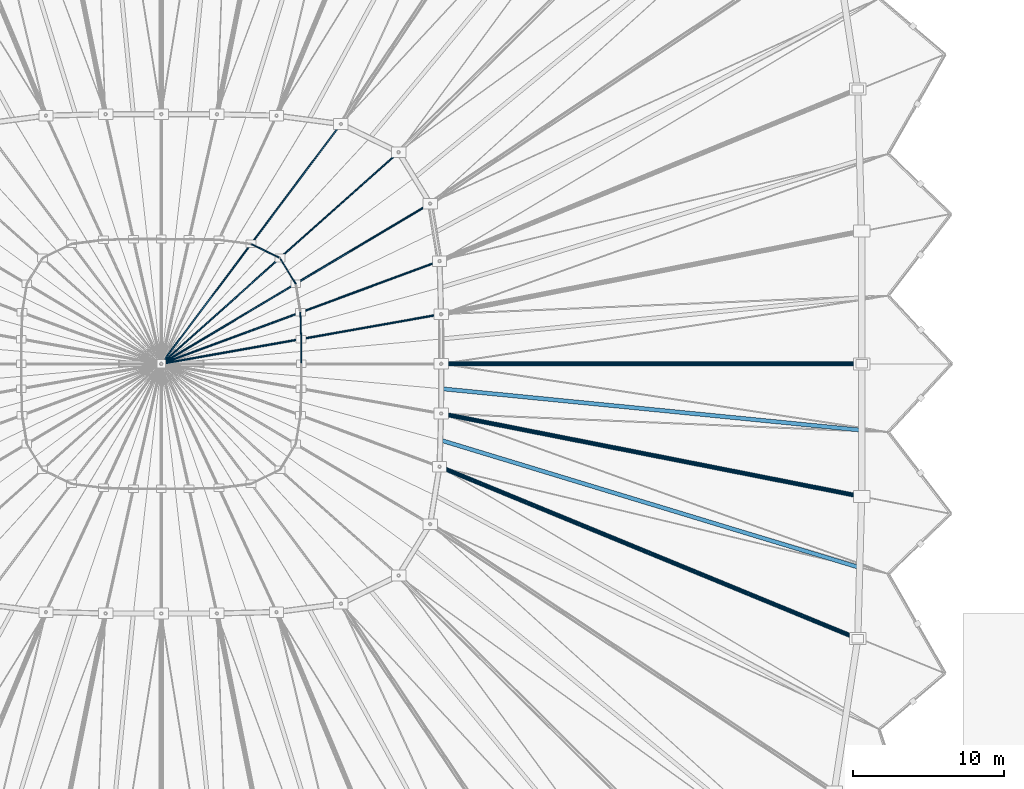
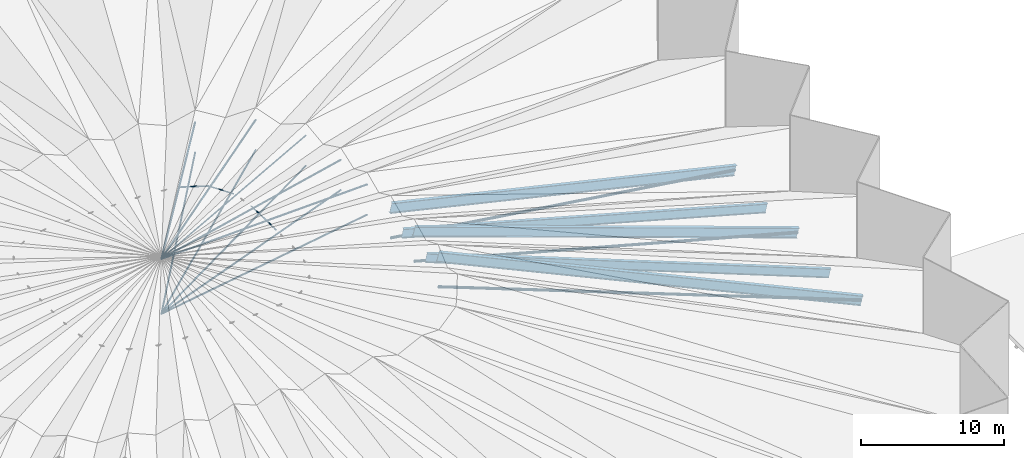
# One storey, part 22 of 41: 17 members, 5 beams.
"""IFC4 building model written with IfcOpenShell, lengths in metres."""

from ifc_helpers import new_model, si_unit, direction, frame, origin, origin_2d, place, context, subcontext, project, spatial, circle, hollow_circle, i_section, extrude, material, material_profile, profile_set, type_object, element, save


model = new_model("IFC4")

# Units and contexts
model_context = context("Model", 3, precision=1e-05, world=origin(), true_north=direction((0.0, 1.0)))
body_context = subcontext(model_context, "Body", "Model", "MODEL_VIEW")
ifc_project = project(units=[si_unit("LENGTHUNIT", "METRE"), si_unit("AREAUNIT", "SQUARE_METRE"), si_unit("VOLUMEUNIT", "CUBIC_METRE"), si_unit("PLANEANGLEUNIT", "RADIAN"), si_unit("MASSUNIT", "GRAM", prefix="KILO")], contexts=[model_context])

# Site, building, storey
site_placement = place(None, origin())
site = spatial("IfcSite", under=ifc_project, at=site_placement, CompositionType="ELEMENT")
building_placement = place(site_placement, origin())
building = spatial("IfcBuilding", under=site, at=building_placement, Name="Luwafu Chhajja Arena", CompositionType="ELEMENT")
storey_placement = place(building_placement, frame((0.0, 0.0, 29.699951171875)))
storey = spatial("IfcBuildingStorey", under=building, at=storey_placement, Name="RF", CompositionType="ELEMENT", Elevation=29.699951171875)

# Beams
ifc_material_1 = material(Name="Steel S355", Category="steel")
ifc_material_profile_1 = material_profile(ifc_material_1, i_section(OverallWidth=0.29248046875, OverallDepth=0.8408203125, WebThickness=0.0146484375, FlangeThickness=0.021728515625, at=origin_2d()), Name="UB 838x292x194")
ifc_profile_set_1 = profile_set([ifc_material_profile_1], Name="Steel S355")
beam_type_1 = type_object("IfcBeamType", Name="Folded Roof Ridge Girder UB 838x292x194", PredefinedType="BEAM", material=ifc_profile_set_1)
beam_1_placement = place(storey_placement, frame((145.300048828125, 49.5, 0.179931640625), z_axis=(-0.973737852779, 0.0, 0.22767211965), x_axis=(0.0, -1.0, 0.0)))
element("IfcBeam", 1, at=beam_1_placement, inside=storey, type_object=beam_type_1, Name="Roof truss ridge beam FR-01", PredefinedType="BEAM", context=body_context, shape_type="SweptSolid", body=[
    extrude(i_section(OverallWidth=0.29248046875, OverallDepth=0.8408203125, WebThickness=0.0146484375, FlangeThickness=0.021728515625, at=origin_2d()), origin(), (0.0, 0.0, 1.0), 28.5498046875),
])
beam_2_placement = place(storey_placement, frame((145.031982421875, 31.3388671875, 0.179931640625), z_axis=(-0.903721333202, 0.371642526178, 0.212531373334), x_axis=(-0.38033148676, -0.924850236621, 0.0)))
element("IfcBeam", 2, at=beam_2_placement, inside=storey, type_object=beam_type_1, Name="Roof truss ridge beam FR-31", PredefinedType="BEAM", context=body_context, shape_type="SweptSolid", body=[
    extrude(i_section(OverallWidth=0.29248046875, OverallDepth=0.8408203125, WebThickness=0.0146484375, FlangeThickness=0.021728515625, at=origin_2d()), origin(), (0.0, 0.0, 1.0), 30.583740234375),
])
beam_3_placement = place(storey_placement, frame((145.28759765625, 40.730224609375, 0.179931640625), z_axis=(-0.956205891368, 0.188833822132, 0.223633809903), x_axis=(-0.19374064553, -0.981052782611, 0.0)))
element("IfcBeam", 3, at=beam_3_placement, inside=storey, type_object=beam_type_1, Name="Roof truss ridge beam FR-32", PredefinedType="BEAM", context=body_context, shape_type="SweptSolid", body=[
    extrude(i_section(OverallWidth=0.29248046875, OverallDepth=0.8408203125, WebThickness=0.0146484375, FlangeThickness=0.021728515625, at=origin_2d()), origin(), (0.0, 0.0, 1.0), 29.0654296875),
])
ifc_material_profile_2 = material_profile(ifc_material_1, i_section(OverallWidth=0.2666015625, OverallDepth=0.76220703125, WebThickness=0.014404296875, FlangeThickness=0.021484375, at=origin_2d()), Name="UB 762x267x173")
ifc_profile_set_2 = profile_set([ifc_material_profile_2], Name="Steel S355")
beam_type_2 = type_object("IfcBeamType", Name="Folded Roof Valley Girder UB 762x267x173", PredefinedType="BEAM", material=ifc_profile_set_2)
beam_4_placement = place(storey_placement, frame((145.159912109375, 36.03466796875, -0.3798828125), z_axis=(-0.937504814036, 0.285056826494, 0.199567856453), x_axis=(-0.290908744238, -0.956750804821, 0.0)))
element("IfcBeam", 4, at=beam_4_placement, inside=storey, type_object=beam_type_2, Name="Roof truss valley beam FV-31", PredefinedType="BEAM", context=body_context, shape_type="SweptSolid", body=[
    extrude(i_section(OverallWidth=0.2666015625, OverallDepth=0.76220703125, WebThickness=0.014404296875, FlangeThickness=0.021484375, at=origin_2d()), origin(), (0.0, 0.0, 1.0), 29.5634765625),
])
beam_5_placement = place(storey_placement, frame((145.293701171875, 45.114990234375, -0.3798828125), z_axis=(-0.973676695263, 0.096133608525, 0.206668871419), x_axis=(-0.098254837604, -0.995161286871, 0.0)))
element("IfcBeam", 5, at=beam_5_placement, inside=storey, type_object=beam_type_2, Name="Roof truss valley beam FV-32", PredefinedType="BEAM", context=body_context, shape_type="SweptSolid", body=[
    extrude(i_section(OverallWidth=0.2666015625, OverallDepth=0.76220703125, WebThickness=0.014404296875, FlangeThickness=0.021484375, at=origin_2d()), origin(), (0.0, 0.0, 1.0), 28.547607421875),
])

# Members
ifc_material_2 = material(Name="Steel S460", Category="steel")
ifc_material_profile_3 = material_profile(ifc_material_2, circle(Radius=0.04248046875, at=origin_2d()), Name="CABLE D85")
ifc_profile_set_3 = profile_set([ifc_material_profile_3], Name="Steel S460")
member_type_1 = type_object("IfcMemberType", Name="Oculus Hoop Tie Cable D85", PredefinedType="USERDEFINED", material=ifc_profile_set_3)
member_1_placement = place(storey_placement, frame((108.25, 49.5, 8.02001953125), z_axis=(-0.00148809359, 0.999998892788, 0.0), x_axis=(-0.999998892788, -0.00148809359, 0.0)))
element("IfcMember", 6, at=member_1_placement, inside=storey, type_object=member_type_1, Name="Cable net hoop cable CBH-01", ObjectType="CABLE", PredefinedType="USERDEFINED", context=body_context, shape_type="SweptSolid", body=[
    extrude(circle(Radius=0.04248046875, at=origin_2d()), origin(), (0.0, 0.0, 1.0), 1.640625),
])
member_2_placement = place(storey_placement, frame((106.8427734375, 56.494873046875, 8.02001953125), z_axis=(-0.89864668968, 0.438673143841, 0.0), x_axis=(-0.438673143841, -0.89864668968, 0.0)))
element("IfcMember", 7, at=member_2_placement, inside=storey, type_object=member_type_1, Name="Cable net hoop cable CBH-05", ObjectType="CABLE", PredefinedType="USERDEFINED", context=body_context, shape_type="SweptSolid", body=[
    extrude(circle(Radius=0.04248046875, at=origin_2d()), origin(), (0.0, 0.0, 1.0), 2.120361328125),
])
ifc_material_profile_4 = material_profile(ifc_material_2, circle(Radius=0.054931640625, at=origin_2d()), Name="CABLE D110")
ifc_profile_set_4 = profile_set([ifc_material_profile_4], Name="Steel S460")
member_type_2 = type_object("IfcMemberType", Name="Oculus Radial Main Cable D110", PredefinedType="USERDEFINED", material=ifc_profile_set_4)
member_3_placement = place(storey_placement, frame((117.4951171875, 52.78125, 6.679931640625), z_axis=(-0.978412125262, -0.173581748819, 0.11215654068), x_axis=(0.174683908095, -0.984624564112, 0.0)))
element("IfcMember", 8, at=member_3_placement, inside=storey, type_object=member_type_2, Name="Cable net main cable CBM-02", ObjectType="CABLE", PredefinedType="USERDEFINED", context=body_context, shape_type="SweptSolid", body=[
    extrude(circle(Radius=0.054931640625, at=origin_2d()), origin(), (0.0, 0.0, 1.0), 18.903076171875),
])
member_4_placement = place(storey_placement, frame((117.392822265625, 56.294921875, 6.679931640625), z_axis=(-0.932598933948, -0.344533144798, 0.107499490853), x_axis=(0.346541303298, -0.938034714234, 0.0)))
element("IfcMember", 9, at=member_4_placement, inside=storey, type_object=member_type_2, Name="Cable net main cable CBM-03", ObjectType="CABLE", PredefinedType="USERDEFINED", context=body_context, shape_type="SweptSolid", body=[
    extrude(circle(Radius=0.054931640625, at=origin_2d()), origin(), (0.0, 0.0, 1.0), 19.72216796875),
])
member_5_placement = place(storey_placement, frame((116.771240234375, 60.090576171875, 6.679931640625), z_axis=(-0.854552305173, -0.509261096098, 0.101948485639), x_axis=(0.511928407215, -0.859028117052, 0.0)))
element("IfcMember", 10, at=member_5_placement, inside=storey, type_object=member_type_2, Name="Cable net main cable CBM-04", ObjectType="CABLE", PredefinedType="USERDEFINED", context=body_context, shape_type="SweptSolid", body=[
    extrude(circle(Radius=0.054931640625, at=origin_2d()), origin(), (0.0, 0.0, 1.0), 20.7958984375),
])
member_6_placement = place(storey_placement, frame((114.685546875, 63.48974609375, 6.679931640625), z_axis=(-0.742528858031, -0.662252344398, 0.100362977885), x_axis=(0.665613098431, -0.746296993962, 0.0)))
element("IfcMember", 11, at=member_6_placement, inside=storey, type_object=member_type_2, Name="Cable net main cable CBM-05", ObjectType="CABLE", PredefinedType="USERDEFINED", context=body_context, shape_type="SweptSolid", body=[
    extrude(circle(Radius=0.054931640625, at=origin_2d()), origin(), (0.0, 0.0, 1.0), 21.12451171875),
])
member_7_placement = place(storey_placement, frame((110.874267578125, 65.35009765625, 6.679931640625), z_axis=(-0.596163636686, -0.795775554022, 0.106443346033), x_axis=(0.800322370403, -0.599569932062, 0.0)))
element("IfcMember", 12, at=member_7_placement, inside=storey, type_object=member_type_2, Name="Cable net main cable CBM-06", ObjectType="CABLE", PredefinedType="USERDEFINED", context=body_context, shape_type="SweptSolid", body=[
    extrude(circle(Radius=0.054931640625, at=origin_2d()), origin(), (0.0, 0.0, 1.0), 19.917724609375),
])
ifc_material_profile_5 = material_profile(ifc_material_2, circle(Radius=0.047607421875, at=origin_2d()), Name="CABLE D95")
ifc_profile_set_5 = profile_set([ifc_material_profile_5], Name="Steel S460")
member_type_3 = type_object("IfcMemberType", Name="Oculus Radial Stabilizing Cable D95", PredefinedType="USERDEFINED", material=ifc_profile_set_5)
member_8_placement = place(storey_placement, frame((117.4951171875, 52.78125, 4.10009765625), z_axis=(-0.984624564112, -0.174683908095, 0.0), x_axis=(0.174683908095, -0.984624564112, 0.0)))
element("IfcMember", 13, at=member_8_placement, inside=storey, type_object=member_type_3, Name="Cable net radial split stabilizing cable CBS-02", ObjectType="CABLE", PredefinedType="USERDEFINED", context=body_context, shape_type="SweptSolid", body=[
    extrude(circle(Radius=0.047607421875, at=origin_2d()), origin(), (0.0, 0.0, 1.0), 18.783935546875),
])
member_9_placement = place(storey_placement, frame((117.392822265625, 56.294921875, 4.10009765625), z_axis=(-0.938034714234, -0.346541303298, 0.0), x_axis=(0.346541303298, -0.938034714234, 0.0)))
element("IfcMember", 14, at=member_9_placement, inside=storey, type_object=member_type_3, Name="Cable net radial split stabilizing cable CBS-03", ObjectType="CABLE", PredefinedType="USERDEFINED", context=body_context, shape_type="SweptSolid", body=[
    extrude(circle(Radius=0.047607421875, at=origin_2d()), origin(), (0.0, 0.0, 1.0), 19.60791015625),
])
member_10_placement = place(storey_placement, frame((116.771240234375, 60.090576171875, 4.10009765625), z_axis=(-0.859028117052, -0.511928407215, 0.0), x_axis=(0.511928407215, -0.859028117052, 0.0)))
element("IfcMember", 15, at=member_10_placement, inside=storey, type_object=member_type_3, Name="Cable net radial split stabilizing cable CBS-04", ObjectType="CABLE", PredefinedType="USERDEFINED", context=body_context, shape_type="SweptSolid", body=[
    extrude(circle(Radius=0.047607421875, at=origin_2d()), origin(), (0.0, 0.0, 1.0), 20.6875),
])
member_11_placement = place(storey_placement, frame((114.685546875, 63.48974609375, 4.10009765625), z_axis=(-0.746296993962, -0.665613098431, 0.0), x_axis=(0.665613098431, -0.746296993962, 0.0)))
element("IfcMember", 16, at=member_11_placement, inside=storey, type_object=member_type_3, Name="Cable net radial split stabilizing cable CBS-05", ObjectType="CABLE", PredefinedType="USERDEFINED", context=body_context, shape_type="SweptSolid", body=[
    extrude(circle(Radius=0.047607421875, at=origin_2d()), origin(), (0.0, 0.0, 1.0), 21.017822265625),
])
member_12_placement = place(storey_placement, frame((110.874267578125, 65.35009765625, 4.10009765625), z_axis=(-0.599569932062, -0.800322370403, 0.0), x_axis=(0.800322370403, -0.599569932062, 0.0)))
element("IfcMember", 17, at=member_12_placement, inside=storey, type_object=member_type_3, Name="Cable net radial split stabilizing cable CBS-06", ObjectType="CABLE", PredefinedType="USERDEFINED", context=body_context, shape_type="SweptSolid", body=[
    extrude(circle(Radius=0.047607421875, at=origin_2d()), origin(), (0.0, 0.0, 1.0), 19.8046875),
])
ifc_material_profile_6 = material_profile(ifc_material_2, circle(Radius=0.034912109375, at=origin_2d()), Name="CABLE D70")
ifc_profile_set_6 = profile_set([ifc_material_profile_6], Name="Steel S460")
member_type_4 = type_object("IfcMemberType", Name="Oculus Secondary Tie Cable D70", PredefinedType="USERDEFINED", material=ifc_profile_set_6)
member_13_placement = place(storey_placement, frame((108.24755859375, 51.140625, 8.02001953125), z_axis=(-0.029170460649, 0.999574451567, 0.0), x_axis=(-0.999574451567, -0.029170460649, 0.0)))
element("IfcMember", 18, at=member_13_placement, inside=storey, type_object=member_type_4, Name="Cable net hoop cable CBH-02", ObjectType="CABLE", PredefinedType="USERDEFINED", context=body_context, shape_type="SweptSolid", body=[
    extrude(circle(Radius=0.034912109375, at=origin_2d()), origin(), (0.0, 0.0, 1.0), 1.757568359375),
])
member_14_placement = place(storey_placement, frame((107.885498046875, 54.79541015625, 8.02001953125), z_axis=(-0.522969721503, 0.852351259981, 0.0), x_axis=(-0.852351259981, -0.522969721503, 0.0)))
element("IfcMember", 19, at=member_14_placement, inside=storey, type_object=member_type_4, Name="Cable net hoop cable CBH-04", ObjectType="CABLE", PredefinedType="USERDEFINED", context=body_context, shape_type="SweptSolid", body=[
    extrude(circle(Radius=0.034912109375, at=origin_2d()), origin(), (0.0, 0.0, 1.0), 1.993896484375),
])
ifc_material_profile_7 = material_profile(ifc_material_1, hollow_circle(Radius=0.109619140625, WallThickness=0.010009765625, at=origin_2d()), Name="CHS 219.1x10")
ifc_profile_set_7 = profile_set([ifc_material_profile_7], Name="Steel S355")
member_type_5 = type_object("IfcMemberType", Name="Roof Plan Wind Plan Brace CHS 219", PredefinedType="BRACE", material=ifc_profile_set_7)
member_15_placement = place(storey_placement, frame((145.300048828125, 49.5, 0.179931640625), z_axis=(-0.990203538074, 0.0, 0.139631490668), x_axis=(0.0, -1.0, 0.0)))
element("IfcMember", 20, at=member_15_placement, inside=storey, type_object=member_type_5, Name="Roof truss diagonal web RW-01", PredefinedType="BRACE", context=body_context, shape_type="SweptSolid", body=[
    extrude(hollow_circle(Radius=0.109619140625, WallThickness=0.010009765625, at=origin_2d()), origin(), (0.0, 0.0, 1.0), 28.0751953125),
])
member_16_placement = place(storey_placement, frame((145.031982421875, 31.3388671875, 0.179931640625), z_axis=(-0.916994578795, 0.377100959371, 0.130060789256), x_axis=(-0.38033148676, -0.924850236621, 0.0)))
element("IfcMember", 21, at=member_16_placement, inside=storey, type_object=member_type_5, Name="Roof truss diagonal web RW-31", PredefinedType="BRACE", context=body_context, shape_type="SweptSolid", body=[
    extrude(hollow_circle(Radius=0.109619140625, WallThickness=0.010009765625, at=origin_2d()), origin(), (0.0, 0.0, 1.0), 30.14111328125),
])
member_17_placement = place(storey_placement, frame((145.28759765625, 40.730224609375, 0.179931640625), z_axis=(-0.971792624942, 0.191911927488, 0.137072631096), x_axis=(-0.19374064553, -0.981052782611, 0.0)))
element("IfcMember", 22, at=member_17_placement, inside=storey, type_object=member_type_5, Name="Roof truss diagonal web RW-32", PredefinedType="BRACE", context=body_context, shape_type="SweptSolid", body=[
    extrude(hollow_circle(Radius=0.109619140625, WallThickness=0.010009765625, at=origin_2d()), origin(), (0.0, 0.0, 1.0), 28.59912109375),
])

save(model, "model.ifc")
